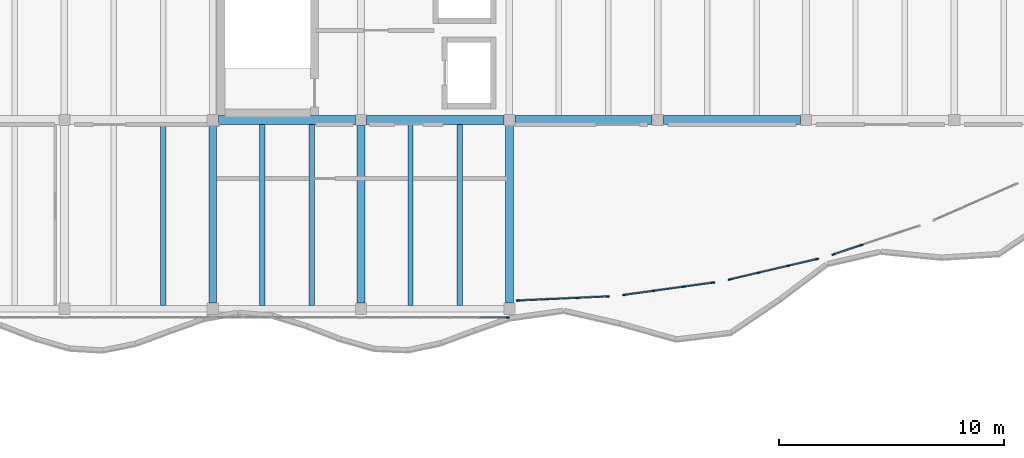
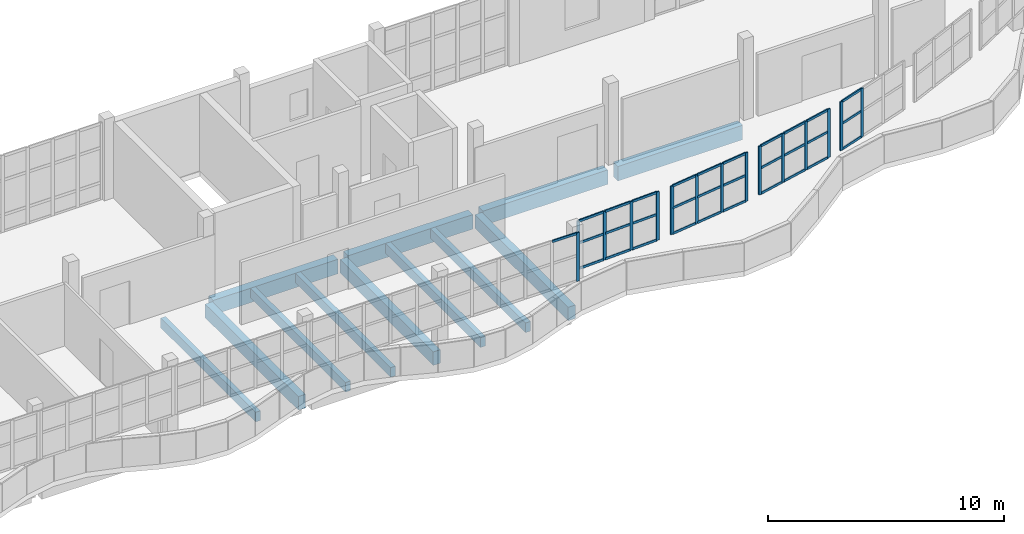
# One storey, part 13 of 47: 46 members, 12 beams, 5 elements without a shape of their own.
"""IFC4 building model written with IfcOpenShell, lengths in metres."""

from ifc_helpers import new_model, si_unit, direction, frame, origin, origin_2d, place, context, subcontext, project, spatial, rectangle, extrude, material, material_profile, profile_set, type_object, element, aggregate, save


model = new_model("IFC4")

# Units and contexts
model_context = context("Model", 3, precision=1e-05, world=origin(), true_north=direction((0.0, 1.0)))
body_context = subcontext(model_context, "Body", "Model", "MODEL_VIEW")
ifc_project = project(units=[si_unit("LENGTHUNIT", "METRE"), si_unit("AREAUNIT", "SQUARE_METRE"), si_unit("VOLUMEUNIT", "CUBIC_METRE"), si_unit("PLANEANGLEUNIT", "RADIAN"), si_unit("MASSUNIT", "GRAM", prefix="KILO")], contexts=[model_context])

# Site, building, storey
site_placement = place(None, origin())
site = spatial("IfcSite", under=ifc_project, at=site_placement, CompositionType="ELEMENT")
building_placement = place(site_placement, origin())
building = spatial("IfcBuilding", under=site, at=building_placement, Name="Qaldarim Faculty of Natural and Applied Sciences", CompositionType="ELEMENT")
storey_placement = place(building_placement, frame((0.0, 0.0, 22.800048828125)))
storey = spatial("IfcBuildingStorey", under=building, at=storey_placement, Name="L05", CompositionType="ELEMENT", Elevation=22.800048828125)

# Beams
ifc_material_1 = material(Name="Concrete C40/50", Category="concrete")
ifc_material_profile_1 = material_profile(ifc_material_1, rectangle(XDim=0.239990234375, YDim=0.5, at=origin_2d()), Name="RC-J240x500")
ifc_profile_set_1 = profile_set([ifc_material_profile_1], Name="Concrete C40/50")
beam_type_1 = type_object("IfcBeamType", Name="HeavyJoist-RC240x500", PredefinedType="JOIST", material=ifc_profile_set_1)
for number, where, z_axis, x_axis, name in (
    (1, (96.800048828125, 100.949951171875, -0.510009765625), (0.0, 1.0, 0.0), (-1.0, 0.0, 0.0), "Laboratory joist L04 bay X15Y13-2"),
    (2, (101.199951171875, 100.949951171875, -0.510009765625), (0.0, 1.0, 0.0), (-1.0, 0.0, 0.0), "Laboratory joist L04 bay X16Y13-1"),
    (3, (103.39990234375, 100.949951171875, -0.510009765625), (0.0, 1.0, 0.0), (-1.0, 0.0, 0.0), "Laboratory joist L04 bay X16Y13-2"),
    (4, (107.800048828125, 100.949951171875, -0.510009765625), (0.0, 1.0, 0.0), (-1.0, 0.0, 0.0), "Laboratory joist L04 bay X17Y13-1"),
    (5, (110.0, 100.949951171875, -0.510009765625), (0.0, 1.0, 0.0), (-1.0, 0.0, 0.0), "Laboratory joist L04 bay X17Y13-2"),
):
    element("IfcBeam", number, at=place(storey_placement, frame(where, z_axis=z_axis, x_axis=x_axis)), inside=storey, type_object=beam_type_1, Name=name, PredefinedType="JOIST", context=body_context, shape_type="SweptSolid", body=[
        extrude(rectangle(XDim=0.239990234375, YDim=0.5, at=origin_2d()), origin(), (0.0, 0.0, 1.0), 8.050048828125),
    ])
ifc_material_2 = material(Name="Concrete C50/60", Category="concrete")
ifc_material_profile_2 = material_profile(ifc_material_2, rectangle(XDim=0.39990234375, YDim=0.75, at=origin_2d()), Name="RC-B400x750")
ifc_profile_set_2 = profile_set([ifc_material_profile_2], Name="Concrete C50/60")
beam_type_2 = type_object("IfcBeamType", Name="LabGirder-RC400x750", PredefinedType="BEAM", material=ifc_profile_set_2)
beam_1_placement = place(storey_placement, frame((99.25, 109.199951171875, -0.635009765625), z_axis=(1.0, 0.0, 0.0), x_axis=(0.0, 1.0, 0.0)))
element("IfcBeam", 6, at=beam_1_placement, inside=storey, type_object=beam_type_2, Name="Beam RC-B400x750 L04 X16-X17/Y14", PredefinedType="BEAM", context=body_context, shape_type="SweptSolid", body=[
    extrude(rectangle(XDim=0.39990234375, YDim=0.75, at=origin_2d()), origin(), (0.0, 0.0, 1.0), 6.10009765625),
])
beam_2_placement = place(storey_placement, frame((105.85009765625, 109.199951171875, -0.635009765625), z_axis=(1.0, 0.0, 0.0), x_axis=(0.0, 1.0, 0.0)))
element("IfcBeam", 7, at=beam_2_placement, inside=storey, type_object=beam_type_2, Name="Beam RC-B400x750 L04 X17-X18/Y14", PredefinedType="BEAM", context=body_context, shape_type="SweptSolid", body=[
    extrude(rectangle(XDim=0.39990234375, YDim=0.75, at=origin_2d()), origin(), (0.0, 0.0, 1.0), 6.099853515625),
])
beam_3_placement = place(storey_placement, frame((112.449951171875, 109.199951171875, -0.635009765625), z_axis=(1.0, 0.0, 0.0), x_axis=(0.0, 1.0, 0.0)))
element("IfcBeam", 8, at=beam_3_placement, inside=storey, type_object=beam_type_2, Name="Beam RC-B400x750 L04 X18-X19/Y14", PredefinedType="BEAM", context=body_context, shape_type="SweptSolid", body=[
    extrude(rectangle(XDim=0.39990234375, YDim=0.75, at=origin_2d()), origin(), (0.0, 0.0, 1.0), 6.10009765625),
])
beam_4_placement = place(storey_placement, frame((119.050048828125, 109.199951171875, -0.635009765625), z_axis=(1.0, 0.0, 0.0), x_axis=(0.0, 1.0, 0.0)))
element("IfcBeam", 9, at=beam_4_placement, inside=storey, type_object=beam_type_2, Name="Beam RC-B400x750 L04 X19-X20/Y14", PredefinedType="BEAM", context=body_context, shape_type="SweptSolid", body=[
    extrude(rectangle(XDim=0.39990234375, YDim=0.75, at=origin_2d()), origin(), (0.0, 0.0, 1.0), 6.099853515625),
])

# Curtain wall, member
ifc_material_3 = material(Name="Anodised aluminium AW-6063", Category="aluminium")
curtain_wall_type = type_object("IfcCurtainWallType", Name="CurtainWallSystem-M1400", PredefinedType="USERDEFINED", material=ifc_material_3)
curtain_wall_1_placement = place(storey_placement, origin())
curtain_wall_1 = element("IfcCurtainWall", 10, at=curtain_wall_1_placement, inside=storey, type_object=curtain_wall_type, Name="Curtain wall CW-V4RIB-L05-X17", ObjectType="STICK CURTAIN WALL", PredefinedType="USERDEFINED")
ifc_material_profile_3 = material_profile(ifc_material_3, rectangle(XDim=0.06005859375, YDim=0.14990234375, at=origin_2d()), Name="ALU-M60x150")
ifc_profile_set_3 = profile_set([ifc_material_profile_3], Name="Anodised aluminium AW-6063")
member_type_1 = type_object("IfcMemberType", Name="Mullion-ALU60x150", PredefinedType="MULLION", material=ifc_profile_set_3)
member_1_placement = place(storey_placement, frame((112.1298828125, 100.419921875, 1.449951171875), z_axis=(0.0, 0.0, 1.0), x_axis=(0.0, 1.0, 0.0)))
member_1 = element("IfcMember", 11, at=member_1_placement, type_object=member_type_1, Name="Mullion 6 of CW-V4RIB-L05-X17", PredefinedType="MULLION", context=body_context, shape_type="SweptSolid", body=[
    extrude(rectangle(XDim=0.06005859375, YDim=0.14990234375, at=origin_2d()), origin(), (0.0, 0.0, 1.0), 2.510009765625),
])

# Curtain wall, members
curtain_wall_2_placement = place(storey_placement, origin())
curtain_wall_2 = element("IfcCurtainWall", 12, at=curtain_wall_2_placement, inside=storey, type_object=curtain_wall_type, Name="Curtain wall CW-V4ARC-L05-00", ObjectType="STICK CURTAIN WALL", PredefinedType="USERDEFINED")
member_2_placement = place(storey_placement, frame((112.580078125, 101.16650390625, 1.449951171875), z_axis=(0.0, 0.0, 1.0), x_axis=(-0.045746561938, 0.998953078013, 0.0)))
member_2 = element("IfcMember", 13, at=member_2_placement, type_object=member_type_1, Name="Mullion 1 of CW-V4ARC-L05-00", PredefinedType="MULLION", context=body_context, shape_type="SweptSolid", body=[
    extrude(rectangle(XDim=0.06005859375, YDim=0.14990234375, at=origin_2d()), origin(), (0.0, 0.0, 1.0), 2.510009765625),
])
member_3_placement = place(storey_placement, frame((113.896728515625, 101.226806640625, 1.449951171875), z_axis=(0.0, 0.0, 1.0), x_axis=(-0.045746561938, 0.998953078013, 0.0)))
member_3 = element("IfcMember", 14, at=member_3_placement, type_object=member_type_1, Name="Mullion 2 of CW-V4ARC-L05-00", PredefinedType="MULLION", context=body_context, shape_type="SweptSolid", body=[
    extrude(rectangle(XDim=0.06005859375, YDim=0.14990234375, at=origin_2d()), origin(), (0.0, 0.0, 1.0), 2.510009765625),
])
member_4_placement = place(storey_placement, frame((115.243408203125, 101.288330078125, 1.449951171875), z_axis=(0.0, 0.0, 1.0), x_axis=(-0.045746561938, 0.998953078013, 0.0)))
member_4 = element("IfcMember", 15, at=member_4_placement, type_object=member_type_1, Name="Mullion 3 of CW-V4ARC-L05-00", PredefinedType="MULLION", context=body_context, shape_type="SweptSolid", body=[
    extrude(rectangle(XDim=0.06005859375, YDim=0.14990234375, at=origin_2d()), origin(), (0.0, 0.0, 1.0), 2.510009765625),
])
member_5_placement = place(storey_placement, frame((116.56005859375, 101.3486328125, 1.449951171875), z_axis=(0.0, 0.0, 1.0), x_axis=(-0.045746561938, 0.998953078013, 0.0)))
member_5 = element("IfcMember", 16, at=member_5_placement, type_object=member_type_1, Name="Mullion 4 of CW-V4ARC-L05-00", PredefinedType="MULLION", context=body_context, shape_type="SweptSolid", body=[
    extrude(rectangle(XDim=0.06005859375, YDim=0.14990234375, at=origin_2d()), origin(), (0.0, 0.0, 1.0), 2.510009765625),
])

curtain_wall_3_placement = place(storey_placement, origin())
curtain_wall_3 = element("IfcCurtainWall", 17, at=curtain_wall_3_placement, inside=storey, type_object=curtain_wall_type, Name="Curtain wall CW-V4ARC-L05-02", ObjectType="STICK CURTAIN WALL", PredefinedType="USERDEFINED")
member_6_placement = place(storey_placement, frame((117.314697265625, 101.419189453125, 1.449951171875), z_axis=(0.0, 0.0, 1.0), x_axis=(-0.137098784642, 0.990557380089, 0.0)))
member_6 = element("IfcMember", 18, at=member_6_placement, type_object=member_type_1, Name="Mullion 1 of CW-V4ARC-L05-02", PredefinedType="MULLION", context=body_context, shape_type="SweptSolid", body=[
    extrude(rectangle(XDim=0.06005859375, YDim=0.14990234375, at=origin_2d()), origin(), (0.0, 0.0, 1.0), 2.510009765625),
])
member_7_placement = place(storey_placement, frame((118.62158203125, 101.60009765625, 1.449951171875), z_axis=(0.0, 0.0, 1.0), x_axis=(-0.137098784642, 0.990557380089, 0.0)))
member_7 = element("IfcMember", 19, at=member_7_placement, type_object=member_type_1, Name="Mullion 2 of CW-V4ARC-L05-02", PredefinedType="MULLION", context=body_context, shape_type="SweptSolid", body=[
    extrude(rectangle(XDim=0.06005859375, YDim=0.14990234375, at=origin_2d()), origin(), (0.0, 0.0, 1.0), 2.510009765625),
])
member_8_placement = place(storey_placement, frame((119.958251953125, 101.784912109375, 1.449951171875), z_axis=(0.0, 0.0, 1.0), x_axis=(-0.137098784642, 0.990557380089, 0.0)))
member_8 = element("IfcMember", 20, at=member_8_placement, type_object=member_type_1, Name="Mullion 3 of CW-V4ARC-L05-02", PredefinedType="MULLION", context=body_context, shape_type="SweptSolid", body=[
    extrude(rectangle(XDim=0.06005859375, YDim=0.14990234375, at=origin_2d()), origin(), (0.0, 0.0, 1.0), 2.510009765625),
])
member_9_placement = place(storey_placement, frame((121.265380859375, 101.9658203125, 1.449951171875), z_axis=(0.0, 0.0, 1.0), x_axis=(-0.137098784642, 0.990557380089, 0.0)))
member_9 = element("IfcMember", 21, at=member_9_placement, type_object=member_type_1, Name="Mullion 4 of CW-V4ARC-L05-02", PredefinedType="MULLION", context=body_context, shape_type="SweptSolid", body=[
    extrude(rectangle(XDim=0.06005859375, YDim=0.14990234375, at=origin_2d()), origin(), (0.0, 0.0, 1.0), 2.510009765625),
])

curtain_wall_4_placement = place(storey_placement, origin())
curtain_wall_4 = element("IfcCurtainWall", 22, at=curtain_wall_4_placement, inside=storey, type_object=curtain_wall_type, Name="Curtain wall CW-V4ARC-L05-04", ObjectType="STICK CURTAIN WALL", PredefinedType="USERDEFINED")
member_10_placement = place(storey_placement, frame((122.00927734375, 102.106689453125, 1.449951171875), z_axis=(0.0, 0.0, 1.0), x_axis=(-0.2273822043, 0.973805593108, 0.0)))
member_10 = element("IfcMember", 23, at=member_10_placement, type_object=member_type_1, Name="Mullion 1 of CW-V4ARC-L05-04", PredefinedType="MULLION", context=body_context, shape_type="SweptSolid", body=[
    extrude(rectangle(XDim=0.06005859375, YDim=0.14990234375, at=origin_2d()), origin(), (0.0, 0.0, 1.0), 2.510009765625),
])
member_11_placement = place(storey_placement, frame((123.293212890625, 102.40673828125, 1.449951171875), z_axis=(0.0, 0.0, 1.0), x_axis=(-0.2273822043, 0.973805593108, 0.0)))
member_11 = element("IfcMember", 24, at=member_11_placement, type_object=member_type_1, Name="Mullion 2 of CW-V4ARC-L05-04", PredefinedType="MULLION", context=body_context, shape_type="SweptSolid", body=[
    extrude(rectangle(XDim=0.06005859375, YDim=0.14990234375, at=origin_2d()), origin(), (0.0, 0.0, 1.0), 2.510009765625),
])
member_12_placement = place(storey_placement, frame((124.606689453125, 102.71337890625, 1.449951171875), z_axis=(0.0, 0.0, 1.0), x_axis=(-0.2273822043, 0.973805593108, 0.0)))
member_12 = element("IfcMember", 25, at=member_12_placement, type_object=member_type_1, Name="Mullion 3 of CW-V4ARC-L05-04", PredefinedType="MULLION", context=body_context, shape_type="SweptSolid", body=[
    extrude(rectangle(XDim=0.06005859375, YDim=0.14990234375, at=origin_2d()), origin(), (0.0, 0.0, 1.0), 2.510009765625),
])
member_13_placement = place(storey_placement, frame((125.890869140625, 103.01318359375, 1.449951171875), z_axis=(0.0, 0.0, 1.0), x_axis=(-0.2273822043, 0.973805593108, 0.0)))
member_13 = element("IfcMember", 26, at=member_13_placement, type_object=member_type_1, Name="Mullion 4 of CW-V4ARC-L05-04", PredefinedType="MULLION", context=body_context, shape_type="SweptSolid", body=[
    extrude(rectangle(XDim=0.06005859375, YDim=0.14990234375, at=origin_2d()), origin(), (0.0, 0.0, 1.0), 2.510009765625),
])

curtain_wall_5_placement = place(storey_placement, origin())
curtain_wall_5 = element("IfcCurtainWall", 27, at=curtain_wall_5_placement, inside=storey, type_object=curtain_wall_type, Name="Curtain wall CW-V4ARC-L05-06", ObjectType="STICK CURTAIN WALL", PredefinedType="USERDEFINED")
member_14_placement = place(storey_placement, frame((126.62353515625, 103.219482421875, 1.449951171875), z_axis=(0.0, 0.0, 1.0), x_axis=(-0.316592858196, 0.94856152259, 0.0)))
member_14 = element("IfcMember", 28, at=member_14_placement, type_object=member_type_1, Name="Mullion 1 of CW-V4ARC-L05-06", PredefinedType="MULLION", context=body_context, shape_type="SweptSolid", body=[
    extrude(rectangle(XDim=0.06005859375, YDim=0.14990234375, at=origin_2d()), origin(), (0.0, 0.0, 1.0), 2.510009765625),
])
member_15_placement = place(storey_placement, frame((127.873291015625, 103.63671875, 1.449951171875), z_axis=(0.0, 0.0, 1.0), x_axis=(-0.316592858196, 0.94856152259, 0.0)))
member_15 = element("IfcMember", 29, at=member_15_placement, type_object=member_type_1, Name="Mullion 2 of CW-V4ARC-L05-06", PredefinedType="MULLION", context=body_context, shape_type="SweptSolid", body=[
    extrude(rectangle(XDim=0.06005859375, YDim=0.14990234375, at=origin_2d()), origin(), (0.0, 0.0, 1.0), 2.510009765625),
])

# Beams
ifc_material_profile_4 = material_profile(ifc_material_1, rectangle(XDim=0.35009765625, YDim=0.699951171875, at=origin_2d()), Name="RC-B350x700")
ifc_profile_set_4 = profile_set([ifc_material_profile_4], Name="Concrete C40/50")
beam_type_3 = type_object("IfcBeamType", Name="PrimaryGirder-RC350x700", PredefinedType="BEAM", material=ifc_profile_set_4)
for number, where, z_axis, x_axis, name in (
    (30, (99.0, 101.050048828125, -0.610107421875), (0.0, 1.0, 0.0), (-1.0, 0.0, 0.0), "Beam RC-B350x700 L04 X16/Y13-Y14"),
    (31, (105.60009765625, 101.050048828125, -0.610107421875), (0.0, 1.0, 0.0), (-1.0, 0.0, 0.0), "Beam RC-B350x700 L04 X17/Y13-Y14"),
    (32, (112.199951171875, 101.050048828125, -0.610107421875), (0.0, 1.0, 0.0), (-1.0, 0.0, 0.0), "Beam RC-B350x700 L04 X18/Y13-Y14"),
):
    element("IfcBeam", number, at=place(storey_placement, frame(where, z_axis=z_axis, x_axis=x_axis)), inside=storey, type_object=beam_type_3, Name=name, PredefinedType="BEAM", context=body_context, shape_type="SweptSolid", body=[
        extrude(rectangle(XDim=0.35009765625, YDim=0.699951171875, at=origin_2d()), origin(), (0.0, 0.0, 1.0), 7.89990234375),
    ])

# Member
ifc_material_profile_5 = material_profile(ifc_material_3, rectangle(XDim=0.06005859375, YDim=0.1201171875, at=origin_2d()), Name="ALU-T60x120")
ifc_profile_set_5 = profile_set([ifc_material_profile_5], Name="Anodised aluminium AW-6063")
member_type_2 = type_object("IfcMemberType", Name="Transom-ALU60x120", PredefinedType="USERDEFINED", material=ifc_profile_set_5)
member_16_placement = place(storey_placement, frame((110.885986328125, 100.419921875, 3.929931640625), z_axis=(1.0, 0.0, 0.0), x_axis=(0.0, 1.0, 0.0)))
member_16 = element("IfcMember", 33, at=member_16_placement, type_object=member_type_2, Name="Transom 5-3 of CW-V4RIB-L05-X17", ObjectType="TRANSOM", PredefinedType="USERDEFINED", context=body_context, shape_type="SweptSolid", body=[
    extrude(rectangle(XDim=0.06005859375, YDim=0.1201171875, at=origin_2d()), origin(), (0.0, 0.0, 1.0), 1.214111328125),
])

aggregate(curtain_wall_1, [member_1, member_16])

member_17_placement = place(storey_placement, frame((112.60986328125, 101.167724609375, 1.47998046875), z_axis=(0.998950860926, 0.045794950112, 0.0), x_axis=(-0.045794950112, 0.998950860926, 0.0)))
member_17 = element("IfcMember", 34, at=member_17_placement, type_object=member_type_2, Name="Transom 1-1 of CW-V4ARC-L05-00", ObjectType="TRANSOM", PredefinedType="USERDEFINED", context=body_context, shape_type="SweptSolid", body=[
    extrude(rectangle(XDim=0.06005859375, YDim=0.1201171875, at=origin_2d()), origin(), (0.0, 0.0, 1.0), 1.258056640625),
])

member_18_placement = place(storey_placement, frame((112.60986328125, 101.167724609375, 2.800048828125), z_axis=(0.998950860926, 0.045794950112, 0.0), x_axis=(-0.045794950112, 0.998950860926, 0.0)))
member_18 = element("IfcMember", 35, at=member_18_placement, type_object=member_type_2, Name="Transom 1-2 of CW-V4ARC-L05-00", ObjectType="TRANSOM", PredefinedType="USERDEFINED", context=body_context, shape_type="SweptSolid", body=[
    extrude(rectangle(XDim=0.06005859375, YDim=0.1201171875, at=origin_2d()), origin(), (0.0, 0.0, 1.0), 1.258056640625),
])

member_19_placement = place(storey_placement, frame((112.60986328125, 101.167724609375, 3.929931640625), z_axis=(0.998950860926, 0.045794950112, 0.0), x_axis=(-0.045794950112, 0.998950860926, 0.0)))
member_19 = element("IfcMember", 36, at=member_19_placement, type_object=member_type_2, Name="Transom 1-3 of CW-V4ARC-L05-00", ObjectType="TRANSOM", PredefinedType="USERDEFINED", context=body_context, shape_type="SweptSolid", body=[
    extrude(rectangle(XDim=0.06005859375, YDim=0.1201171875, at=origin_2d()), origin(), (0.0, 0.0, 1.0), 1.258056640625),
])

member_20_placement = place(storey_placement, frame((113.926513671875, 101.22802734375, 1.47998046875), z_axis=(0.998947726126, 0.04586328016, 0.0), x_axis=(-0.04586328016, 0.998947726126, 0.0)))
member_20 = element("IfcMember", 37, at=member_20_placement, type_object=member_type_2, Name="Transom 2-1 of CW-V4ARC-L05-00", ObjectType="TRANSOM", PredefinedType="USERDEFINED", context=body_context, shape_type="SweptSolid", body=[
    extrude(rectangle(XDim=0.06005859375, YDim=0.1201171875, at=origin_2d()), origin(), (0.0, 0.0, 1.0), 1.288330078125),
])

member_21_placement = place(storey_placement, frame((113.926513671875, 101.22802734375, 2.800048828125), z_axis=(0.998947726126, 0.04586328016, 0.0), x_axis=(-0.04586328016, 0.998947726126, 0.0)))
member_21 = element("IfcMember", 38, at=member_21_placement, type_object=member_type_2, Name="Transom 2-2 of CW-V4ARC-L05-00", ObjectType="TRANSOM", PredefinedType="USERDEFINED", context=body_context, shape_type="SweptSolid", body=[
    extrude(rectangle(XDim=0.06005859375, YDim=0.1201171875, at=origin_2d()), origin(), (0.0, 0.0, 1.0), 1.288330078125),
])

member_22_placement = place(storey_placement, frame((113.926513671875, 101.22802734375, 3.929931640625), z_axis=(0.998947726126, 0.04586328016, 0.0), x_axis=(-0.04586328016, 0.998947726126, 0.0)))
member_22 = element("IfcMember", 39, at=member_22_placement, type_object=member_type_2, Name="Transom 2-3 of CW-V4ARC-L05-00", ObjectType="TRANSOM", PredefinedType="USERDEFINED", context=body_context, shape_type="SweptSolid", body=[
    extrude(rectangle(XDim=0.06005859375, YDim=0.1201171875, at=origin_2d()), origin(), (0.0, 0.0, 1.0), 1.288330078125),
])

member_23_placement = place(storey_placement, frame((115.273193359375, 101.289794921875, 1.47998046875), z_axis=(0.998950860926, 0.045794950112, 0.0), x_axis=(-0.045794950112, 0.998950860926, 0.0)))
member_23 = element("IfcMember", 40, at=member_23_placement, type_object=member_type_2, Name="Transom 3-1 of CW-V4ARC-L05-00", ObjectType="TRANSOM", PredefinedType="USERDEFINED", context=body_context, shape_type="SweptSolid", body=[
    extrude(rectangle(XDim=0.06005859375, YDim=0.1201171875, at=origin_2d()), origin(), (0.0, 0.0, 1.0), 1.258056640625),
])

member_24_placement = place(storey_placement, frame((115.273193359375, 101.289794921875, 2.800048828125), z_axis=(0.998950860926, 0.045794950112, 0.0), x_axis=(-0.045794950112, 0.998950860926, 0.0)))
member_24 = element("IfcMember", 41, at=member_24_placement, type_object=member_type_2, Name="Transom 3-2 of CW-V4ARC-L05-00", ObjectType="TRANSOM", PredefinedType="USERDEFINED", context=body_context, shape_type="SweptSolid", body=[
    extrude(rectangle(XDim=0.06005859375, YDim=0.1201171875, at=origin_2d()), origin(), (0.0, 0.0, 1.0), 1.258056640625),
])

member_25_placement = place(storey_placement, frame((115.273193359375, 101.289794921875, 3.929931640625), z_axis=(0.998950860926, 0.045794950112, 0.0), x_axis=(-0.045794950112, 0.998950860926, 0.0)))
member_25 = element("IfcMember", 42, at=member_25_placement, type_object=member_type_2, Name="Transom 3-3 of CW-V4ARC-L05-00", ObjectType="TRANSOM", PredefinedType="USERDEFINED", context=body_context, shape_type="SweptSolid", body=[
    extrude(rectangle(XDim=0.06005859375, YDim=0.1201171875, at=origin_2d()), origin(), (0.0, 0.0, 1.0), 1.258056640625),
])

aggregate(curtain_wall_2, [member_2, member_3, member_4, member_5, member_17, member_18, member_19, member_20, member_21, member_22, member_23, member_24, member_25])

member_26_placement = place(storey_placement, frame((117.344482421875, 101.423095703125, 1.47998046875), z_axis=(0.990534056206, 0.137267197454, 0.0), x_axis=(-0.137267197454, 0.990534056206, 0.0)))
member_26 = element("IfcMember", 43, at=member_26_placement, type_object=member_type_2, Name="Transom 1-1 of CW-V4ARC-L05-02", ObjectType="TRANSOM", PredefinedType="USERDEFINED", context=body_context, shape_type="SweptSolid", body=[
    extrude(rectangle(XDim=0.06005859375, YDim=0.1201171875, at=origin_2d()), origin(), (0.0, 0.0, 1.0), 1.25927734375),
])

member_27_placement = place(storey_placement, frame((117.344482421875, 101.423095703125, 2.800048828125), z_axis=(0.990534056206, 0.137267197454, 0.0), x_axis=(-0.137267197454, 0.990534056206, 0.0)))
member_27 = element("IfcMember", 44, at=member_27_placement, type_object=member_type_2, Name="Transom 1-2 of CW-V4ARC-L05-02", ObjectType="TRANSOM", PredefinedType="USERDEFINED", context=body_context, shape_type="SweptSolid", body=[
    extrude(rectangle(XDim=0.06005859375, YDim=0.1201171875, at=origin_2d()), origin(), (0.0, 0.0, 1.0), 1.25927734375),
])

member_28_placement = place(storey_placement, frame((117.344482421875, 101.423095703125, 3.929931640625), z_axis=(0.990534056206, 0.137267197454, 0.0), x_axis=(-0.137267197454, 0.990534056206, 0.0)))
member_28 = element("IfcMember", 45, at=member_28_placement, type_object=member_type_2, Name="Transom 1-3 of CW-V4ARC-L05-02", ObjectType="TRANSOM", PredefinedType="USERDEFINED", context=body_context, shape_type="SweptSolid", body=[
    extrude(rectangle(XDim=0.06005859375, YDim=0.1201171875, at=origin_2d()), origin(), (0.0, 0.0, 1.0), 1.25927734375),
])

member_29_placement = place(storey_placement, frame((118.6513671875, 101.60400390625, 1.47998046875), z_axis=(0.990535220067, 0.137258798652, 0.0), x_axis=(-0.137258798652, 0.990535220067, 0.0)))
member_29 = element("IfcMember", 46, at=member_29_placement, type_object=member_type_2, Name="Transom 2-1 of CW-V4ARC-L05-02", ObjectType="TRANSOM", PredefinedType="USERDEFINED", context=body_context, shape_type="SweptSolid", body=[
    extrude(rectangle(XDim=0.06005859375, YDim=0.1201171875, at=origin_2d()), origin(), (0.0, 0.0, 1.0), 1.28955078125),
])

member_30_placement = place(storey_placement, frame((118.6513671875, 101.60400390625, 2.800048828125), z_axis=(0.990535220067, 0.137258798652, 0.0), x_axis=(-0.137258798652, 0.990535220067, 0.0)))
member_30 = element("IfcMember", 47, at=member_30_placement, type_object=member_type_2, Name="Transom 2-2 of CW-V4ARC-L05-02", ObjectType="TRANSOM", PredefinedType="USERDEFINED", context=body_context, shape_type="SweptSolid", body=[
    extrude(rectangle(XDim=0.06005859375, YDim=0.1201171875, at=origin_2d()), origin(), (0.0, 0.0, 1.0), 1.28955078125),
])

member_31_placement = place(storey_placement, frame((118.6513671875, 101.60400390625, 3.929931640625), z_axis=(0.990535220067, 0.137258798652, 0.0), x_axis=(-0.137258798652, 0.990535220067, 0.0)))
member_31 = element("IfcMember", 48, at=member_31_placement, type_object=member_type_2, Name="Transom 2-3 of CW-V4ARC-L05-02", ObjectType="TRANSOM", PredefinedType="USERDEFINED", context=body_context, shape_type="SweptSolid", body=[
    extrude(rectangle(XDim=0.06005859375, YDim=0.1201171875, at=origin_2d()), origin(), (0.0, 0.0, 1.0), 1.28955078125),
])

member_32_placement = place(storey_placement, frame((119.988037109375, 101.7890625, 1.47998046875), z_axis=(0.9905377083, 0.137240840993, 0.0), x_axis=(-0.137240840993, 0.9905377083, 0.0)))
member_32 = element("IfcMember", 49, at=member_32_placement, type_object=member_type_2, Name="Transom 3-1 of CW-V4ARC-L05-02", ObjectType="TRANSOM", PredefinedType="USERDEFINED", context=body_context, shape_type="SweptSolid", body=[
    extrude(rectangle(XDim=0.06005859375, YDim=0.1201171875, at=origin_2d()), origin(), (0.0, 0.0, 1.0), 1.259521484375),
])

member_33_placement = place(storey_placement, frame((119.988037109375, 101.7890625, 2.800048828125), z_axis=(0.9905377083, 0.137240840993, 0.0), x_axis=(-0.137240840993, 0.9905377083, 0.0)))
member_33 = element("IfcMember", 50, at=member_33_placement, type_object=member_type_2, Name="Transom 3-2 of CW-V4ARC-L05-02", ObjectType="TRANSOM", PredefinedType="USERDEFINED", context=body_context, shape_type="SweptSolid", body=[
    extrude(rectangle(XDim=0.06005859375, YDim=0.1201171875, at=origin_2d()), origin(), (0.0, 0.0, 1.0), 1.259521484375),
])

member_34_placement = place(storey_placement, frame((119.988037109375, 101.7890625, 3.929931640625), z_axis=(0.9905377083, 0.137240840993, 0.0), x_axis=(-0.137240840993, 0.9905377083, 0.0)))
member_34 = element("IfcMember", 51, at=member_34_placement, type_object=member_type_2, Name="Transom 3-3 of CW-V4ARC-L05-02", ObjectType="TRANSOM", PredefinedType="USERDEFINED", context=body_context, shape_type="SweptSolid", body=[
    extrude(rectangle(XDim=0.06005859375, YDim=0.1201171875, at=origin_2d()), origin(), (0.0, 0.0, 1.0), 1.259521484375),
])

aggregate(curtain_wall_3, [member_6, member_7, member_8, member_9, member_26, member_27, member_28, member_29, member_30, member_31, member_32, member_33, member_34])

member_35_placement = place(storey_placement, frame((122.038330078125, 102.113525390625, 1.47998046875), z_axis=(0.973779660512, 0.227493236762, 0.0), x_axis=(-0.227493236762, 0.973779660512, 0.0)))
member_35 = element("IfcMember", 52, at=member_35_placement, type_object=member_type_2, Name="Transom 1-1 of CW-V4ARC-L05-04", ObjectType="TRANSOM", PredefinedType="USERDEFINED", context=body_context, shape_type="SweptSolid", body=[
    extrude(rectangle(XDim=0.06005859375, YDim=0.1201171875, at=origin_2d()), origin(), (0.0, 0.0, 1.0), 1.2587890625),
])

member_36_placement = place(storey_placement, frame((122.038330078125, 102.113525390625, 2.800048828125), z_axis=(0.973779660512, 0.227493236762, 0.0), x_axis=(-0.227493236762, 0.973779660512, 0.0)))
member_36 = element("IfcMember", 53, at=member_36_placement, type_object=member_type_2, Name="Transom 1-2 of CW-V4ARC-L05-04", ObjectType="TRANSOM", PredefinedType="USERDEFINED", context=body_context, shape_type="SweptSolid", body=[
    extrude(rectangle(XDim=0.06005859375, YDim=0.1201171875, at=origin_2d()), origin(), (0.0, 0.0, 1.0), 1.2587890625),
])

member_37_placement = place(storey_placement, frame((122.038330078125, 102.113525390625, 3.929931640625), z_axis=(0.973779660512, 0.227493236762, 0.0), x_axis=(-0.227493236762, 0.973779660512, 0.0)))
member_37 = element("IfcMember", 54, at=member_37_placement, type_object=member_type_2, Name="Transom 1-3 of CW-V4ARC-L05-04", ObjectType="TRANSOM", PredefinedType="USERDEFINED", context=body_context, shape_type="SweptSolid", body=[
    extrude(rectangle(XDim=0.06005859375, YDim=0.1201171875, at=origin_2d()), origin(), (0.0, 0.0, 1.0), 1.2587890625),
])

member_38_placement = place(storey_placement, frame((123.322509765625, 102.41357421875, 1.47998046875), z_axis=(0.973813252853, 0.227349397553, 0.0), x_axis=(-0.227349397553, 0.973813252853, 0.0)))
member_38 = element("IfcMember", 55, at=member_38_placement, type_object=member_type_2, Name="Transom 2-1 of CW-V4ARC-L05-04", ObjectType="TRANSOM", PredefinedType="USERDEFINED", context=body_context, shape_type="SweptSolid", body=[
    extrude(rectangle(XDim=0.06005859375, YDim=0.1201171875, at=origin_2d()), origin(), (0.0, 0.0, 1.0), 1.28857421875),
])

member_39_placement = place(storey_placement, frame((123.322509765625, 102.41357421875, 2.800048828125), z_axis=(0.973813252853, 0.227349397553, 0.0), x_axis=(-0.227349397553, 0.973813252853, 0.0)))
member_39 = element("IfcMember", 56, at=member_39_placement, type_object=member_type_2, Name="Transom 2-2 of CW-V4ARC-L05-04", ObjectType="TRANSOM", PredefinedType="USERDEFINED", context=body_context, shape_type="SweptSolid", body=[
    extrude(rectangle(XDim=0.06005859375, YDim=0.1201171875, at=origin_2d()), origin(), (0.0, 0.0, 1.0), 1.28857421875),
])

member_40_placement = place(storey_placement, frame((123.322509765625, 102.41357421875, 3.929931640625), z_axis=(0.973813252853, 0.227349397553, 0.0), x_axis=(-0.227349397553, 0.973813252853, 0.0)))
member_40 = element("IfcMember", 57, at=member_40_placement, type_object=member_type_2, Name="Transom 2-3 of CW-V4ARC-L05-04", ObjectType="TRANSOM", PredefinedType="USERDEFINED", context=body_context, shape_type="SweptSolid", body=[
    extrude(rectangle(XDim=0.06005859375, YDim=0.1201171875, at=origin_2d()), origin(), (0.0, 0.0, 1.0), 1.28857421875),
])

member_41_placement = place(storey_placement, frame((124.635986328125, 102.72021484375, 1.47998046875), z_axis=(0.9738125844, 0.22735226074, 0.0), x_axis=(-0.22735226074, 0.9738125844, 0.0)))
member_41 = element("IfcMember", 58, at=member_41_placement, type_object=member_type_2, Name="Transom 3-1 of CW-V4ARC-L05-04", ObjectType="TRANSOM", PredefinedType="USERDEFINED", context=body_context, shape_type="SweptSolid", body=[
    extrude(rectangle(XDim=0.06005859375, YDim=0.1201171875, at=origin_2d()), origin(), (0.0, 0.0, 1.0), 1.258544921875),
])

member_42_placement = place(storey_placement, frame((124.635986328125, 102.72021484375, 2.800048828125), z_axis=(0.9738125844, 0.22735226074, 0.0), x_axis=(-0.22735226074, 0.9738125844, 0.0)))
member_42 = element("IfcMember", 59, at=member_42_placement, type_object=member_type_2, Name="Transom 3-2 of CW-V4ARC-L05-04", ObjectType="TRANSOM", PredefinedType="USERDEFINED", context=body_context, shape_type="SweptSolid", body=[
    extrude(rectangle(XDim=0.06005859375, YDim=0.1201171875, at=origin_2d()), origin(), (0.0, 0.0, 1.0), 1.258544921875),
])

member_43_placement = place(storey_placement, frame((124.635986328125, 102.72021484375, 3.929931640625), z_axis=(0.9738125844, 0.22735226074, 0.0), x_axis=(-0.22735226074, 0.9738125844, 0.0)))
member_43 = element("IfcMember", 60, at=member_43_placement, type_object=member_type_2, Name="Transom 3-3 of CW-V4ARC-L05-04", ObjectType="TRANSOM", PredefinedType="USERDEFINED", context=body_context, shape_type="SweptSolid", body=[
    extrude(rectangle(XDim=0.06005859375, YDim=0.1201171875, at=origin_2d()), origin(), (0.0, 0.0, 1.0), 1.258544921875),
])

aggregate(curtain_wall_4, [member_10, member_11, member_12, member_13, member_35, member_36, member_37, member_38, member_39, member_40, member_41, member_42, member_43])

member_44_placement = place(storey_placement, frame((126.65185546875, 103.22900390625, 1.47998046875), z_axis=(0.948566773707, 0.316577124599, 0.0), x_axis=(-0.316577124599, 0.948566773707, 0.0)))
member_44 = element("IfcMember", 61, at=member_44_placement, type_object=member_type_2, Name="Transom 1-1 of CW-V4ARC-L05-06", ObjectType="TRANSOM", PredefinedType="USERDEFINED", context=body_context, shape_type="SweptSolid", body=[
    extrude(rectangle(XDim=0.06005859375, YDim=0.1201171875, at=origin_2d()), origin(), (0.0, 0.0, 1.0), 1.2578125),
])

member_45_placement = place(storey_placement, frame((126.65185546875, 103.22900390625, 2.800048828125), z_axis=(0.948566773707, 0.316577124599, 0.0), x_axis=(-0.316577124599, 0.948566773707, 0.0)))
member_45 = element("IfcMember", 62, at=member_45_placement, type_object=member_type_2, Name="Transom 1-2 of CW-V4ARC-L05-06", ObjectType="TRANSOM", PredefinedType="USERDEFINED", context=body_context, shape_type="SweptSolid", body=[
    extrude(rectangle(XDim=0.06005859375, YDim=0.1201171875, at=origin_2d()), origin(), (0.0, 0.0, 1.0), 1.2578125),
])

member_46_placement = place(storey_placement, frame((126.65185546875, 103.22900390625, 3.929931640625), z_axis=(0.948566773707, 0.316577124599, 0.0), x_axis=(-0.316577124599, 0.948566773707, 0.0)))
member_46 = element("IfcMember", 63, at=member_46_placement, type_object=member_type_2, Name="Transom 1-3 of CW-V4ARC-L05-06", ObjectType="TRANSOM", PredefinedType="USERDEFINED", context=body_context, shape_type="SweptSolid", body=[
    extrude(rectangle(XDim=0.06005859375, YDim=0.1201171875, at=origin_2d()), origin(), (0.0, 0.0, 1.0), 1.2578125),
])

aggregate(curtain_wall_5, [member_14, member_15, member_44, member_45, member_46])

save(model, "model.ifc")
